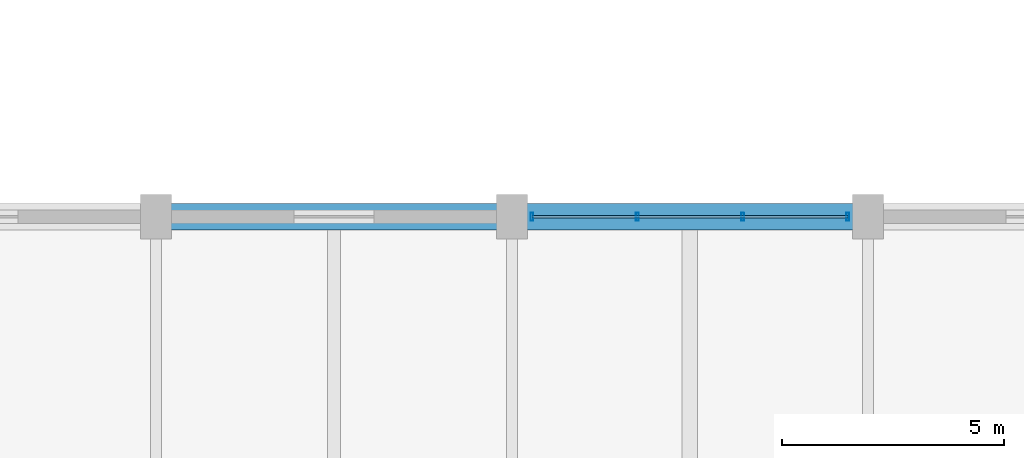
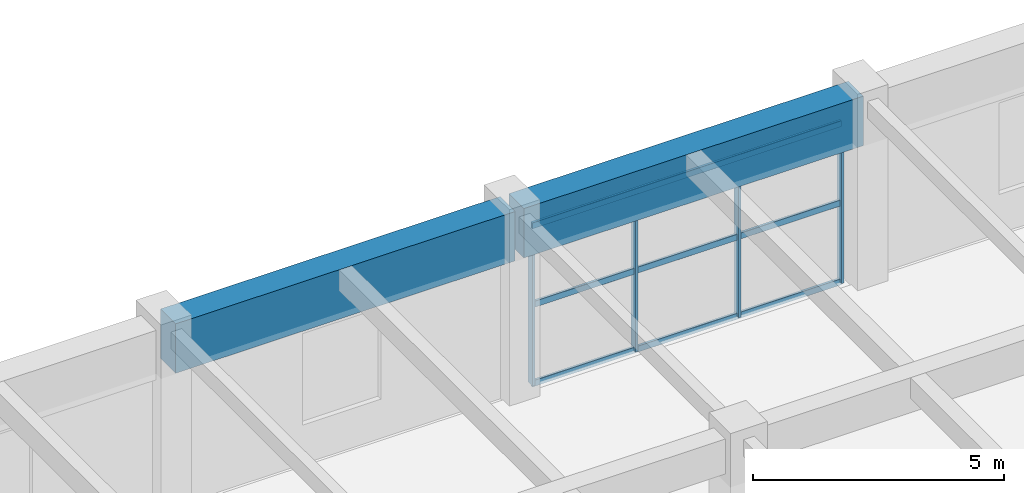
# One storey, part 84 of 144: 7 members, 2 beams, 1 element without a shape of its own.
"""IFC4 building model written with IfcOpenShell, lengths in metres."""

import ifcopenshell
import ifcopenshell.guid

model = None  # the IFC model being written
_history = None  # IfcOwnerHistory: only IFC2X3 demands one
_inside = {}  # id of a spatial element -> (the spatial element, [elements in it])
_under = {}  # id of a project, library or spatial element -> (it, [spatial elements below it])
_declared = {}  # id of a project -> (the project, [libraries it declares])
_typed = {}  # id of a type object -> (the type object, [elements of that type])
_made_of = {}  # id of a material, layer set ... -> (it, [elements and type objects made of it])


def new_model(schema):
    """Start an empty IFC model of exactly this schema.

    Asked for "IFC4X3", IfcOpenShell would pick the latest addendum, in which some entities
    have other attributes; the version numbers below select the first issue.
    IFC2X3 requires an IfcOwnerHistory on every rooted entity: one is made here for all.
    """
    global model, _history
    if schema == "IFC4X3":
        model = ifcopenshell.file(schema_version=(4, 3, 0, 0))
    else:
        model = ifcopenshell.file(schema=schema)
    _inside.clear()
    _under.clear()
    _declared.clear()
    _typed.clear()
    _made_of.clear()
    _history = None
    if model.schema == "IFC2X3":
        org = make("IfcOrganization", Name="unknown")
        user = make(
            "IfcPersonAndOrganization",
            ThePerson=make("IfcPerson", FamilyName="unknown"),
            TheOrganization=org,
        )
        app = make(
            "IfcApplication",
            ApplicationDeveloper=org,
            Version="unknown",
            ApplicationFullName="unknown",
            ApplicationIdentifier="unknown",
        )
        _history = make(
            "IfcOwnerHistory",
            OwningUser=user,
            OwningApplication=app,
            ChangeAction="ADDED",
            CreationDate=0,
        )
    return model


def make(cls, **values):
    """One entity of the class cls with the attributes given. An attribute that is None is left unset."""
    return model.create_entity(
        cls, **{name: value for name, value in values.items() if value is not None}
    )


def rooted(cls, **values):
    """An entity with a GlobalId (a new one), such as an element, a storey or a relation."""
    return make(cls, GlobalId=ifcopenshell.guid.new(), OwnerHistory=_history, **values)


def si_unit(unit_type, name, prefix=None):
    """IfcSIUnit, for example si_unit("LENGTHUNIT", "METRE", prefix="MILLI")."""
    return make("IfcSIUnit", UnitType=unit_type, Prefix=prefix, Name=name)


def assignment(units):
    """IfcUnitAssignment: the units of a project."""
    return None if units is None else make("IfcUnitAssignment", Units=units)


def point(xyz):
    """IfcCartesianPoint."""
    return None if xyz is None else make("IfcCartesianPoint", Coordinates=xyz)


def direction(xyz):
    """IfcDirection."""
    return None if xyz is None else make("IfcDirection", DirectionRatios=xyz)


def frame(location, z_axis=None, x_axis=None):
    """IfcAxis2Placement3D, a coordinate frame: its origin and axes. An axis left out is left unset."""
    return make(
        "IfcAxis2Placement3D",
        Location=point(location),
        Axis=direction(z_axis),
        RefDirection=direction(x_axis),
    )


def frame_2d(location, x_axis=None):
    """IfcAxis2Placement2D, a coordinate frame in the plane: its origin and x axis."""
    return make(
        "IfcAxis2Placement2D", Location=point(location), RefDirection=direction(x_axis)
    )


def origin():
    """The frame at (0, 0, 0) with its axes left unset."""
    return frame((0.0, 0.0, 0.0))


def origin_2d():
    """The frame at (0, 0) in the plane with its x axis left unset."""
    return frame_2d((0.0, 0.0))


def place(relative_to, where):
    """IfcLocalPlacement: puts the frame where relative to a parent placement (None: the world)."""
    return make(
        "IfcLocalPlacement", PlacementRelTo=relative_to, RelativePlacement=where
    )


def context(
    kind, dimensions, precision=None, world=None, true_north=None, identifier=None
):
    """IfcGeometricRepresentationContext, for example the 3D "Model" context."""
    return make(
        "IfcGeometricRepresentationContext",
        ContextIdentifier=identifier,
        ContextType=kind,
        CoordinateSpaceDimension=dimensions,
        Precision=precision,
        WorldCoordinateSystem=world,
        TrueNorth=true_north,
    )


def subcontext(parent, identifier, kind, view, scale=None):
    """IfcGeometricRepresentationSubContext, for example "Body" below "Model"."""
    return make(
        "IfcGeometricRepresentationSubContext",
        ContextIdentifier=identifier,
        ContextType=kind,
        ParentContext=parent,
        TargetScale=scale,
        TargetView=view,
    )


def project(units=None, contexts=None):
    """IfcProject with its units and contexts."""
    return rooted(
        "IfcProject",
        Name="project",
        RepresentationContexts=contexts,
        UnitsInContext=assignment(units),
    )


def spatial(cls, under=None, at=None, **own):
    """A site, building, storey or space (cls), placed at a placement, below another one or the project."""
    s = rooted(cls, ObjectPlacement=at, **own)
    if under is not None:
        _under.setdefault(under.id(), (under, []))[1].append(s)
    return s


def profile(cls, at=None, kind="AREA", **sizes):
    """A parametric profile (cls). Its sizes go by their IFC names, for example OverallWidth=200.0."""
    return make(cls, ProfileType=kind, Position=at, **sizes)


def rectangle(**sizes):
    """IfcRectangleProfileDef."""
    return profile("IfcRectangleProfileDef", **sizes)


def hollow_rectangle(**sizes):
    """IfcRectangleHollowProfileDef."""
    return profile("IfcRectangleHollowProfileDef", **sizes)


def extrude(swept, where, along, depth):
    """IfcExtrudedAreaSolid: the profile swept, set in the frame where, extruded along a direction by depth."""
    return make(
        "IfcExtrudedAreaSolid",
        SweptArea=swept,
        Position=where,
        ExtrudedDirection=direction(along),
        Depth=depth,
    )


def shape(context_of_items, identifier, shape_type, items):
    """IfcShapeRepresentation: the items that make up one representation, for example the "Body"."""
    return make(
        "IfcShapeRepresentation",
        ContextOfItems=context_of_items,
        RepresentationIdentifier=identifier,
        RepresentationType=shape_type,
        Items=items,
    )


def material(Name=None, Category=None):
    """IfcMaterial."""
    return make("IfcMaterial", Name=Name, Category=Category)


def material_profile(
    of_material, cross_section, Name=None, Category=None, Priority=None
):
    """IfcMaterialProfile: a cross section and its material."""
    return make(
        "IfcMaterialProfile",
        Name=Name,
        Material=of_material,
        Profile=cross_section,
        Priority=Priority,
        Category=Category,
    )


def profile_set(profiles, Name=None, composite=None):
    """IfcMaterialProfileSet."""
    return make(
        "IfcMaterialProfileSet",
        Name=Name,
        MaterialProfiles=profiles,
        CompositeProfile=composite,
    )


def made_of(thing, what):
    """Note that an element or type object is made of a material, layer set ...; save() writes the relation."""
    if what is not None:
        _made_of.setdefault(what.id(), (what, []))[1].append(thing)
    return thing


def type_object(cls, material=None, **own):
    """A type object (cls), such as IfcWallType, which elements share."""
    return made_of(rooted(cls, **own), material)


def element(
    cls,
    number,
    at=None,
    inside=None,
    cuts=None,
    type_object=None,
    material=None,
    context=None,
    identifier="Body",
    shape_type=None,
    held_by="IfcProductDefinitionShape",
    body=None,
    shapes=None,
    **own,
):
    """One element of the class cls, such as IfcWall. Its Tag is "e" and its number.

    at: its placement. inside: the storey or other place that contains it. cuts: it is an
    opening in that element (IfcRelVoidsElement). A single representation is given by context,
    identifier, shape_type and body (its items); several are given by shapes. held_by: the class
    of the entity that holds the representations. save() writes the other relations.
    """
    e = rooted(cls, Tag="e%d" % number, ObjectPlacement=at, **own)
    if body is not None:
        shapes = [shape(context, identifier, shape_type, body)]
    if shapes is not None:
        e.Representation = make(held_by, Representations=shapes)
    if inside is not None:
        _inside.setdefault(inside.id(), (inside, []))[1].append(e)
    if cuts is not None:
        rooted(
            "IfcRelVoidsElement", RelatingBuildingElement=cuts, RelatedOpeningElement=e
        )
    if type_object is not None:
        _typed.setdefault(type_object.id(), (type_object, []))[1].append(e)
    return made_of(e, material)


def aggregate(whole, parts):
    """IfcRelAggregates: a whole, such as a stair, and the parts it consists of."""
    return rooted("IfcRelAggregates", RelatingObject=whole, RelatedObjects=parts)


def save(model, path):
    """Write the relations noted so far, then the file.

    IfcRelAggregates (storeys below a building ...), IfcRelContainedInSpatialStructure (elements
    in a storey), IfcRelDefinesByType, IfcRelAssociatesMaterial and IfcRelDeclares: one each for
    every whole, place, type object, material and project.
    """
    for whole, parts in _under.values():
        aggregate(whole, parts)
    for where, things in _inside.values():
        rooted(
            "IfcRelContainedInSpatialStructure",
            RelatedElements=things,
            RelatingStructure=where,
        )
    for kind, things in _typed.values():
        rooted("IfcRelDefinesByType", RelatedObjects=things, RelatingType=kind)
    for what, things in _made_of.values():
        rooted("IfcRelAssociatesMaterial", RelatedObjects=things, RelatingMaterial=what)
    for by, libraries in _declared.values():
        rooted("IfcRelDeclares", RelatingContext=by, RelatedDefinitions=libraries)
    model.write(path)


model = new_model("IFC4")

# Units and contexts
model_context = context("Model", 3, precision=1e-05, world=origin(), true_north=direction((0.0, 1.0)))
body_context = subcontext(model_context, "Body", "Model", "MODEL_VIEW")
ifc_project = project(units=[si_unit("LENGTHUNIT", "METRE"), si_unit("AREAUNIT", "SQUARE_METRE"), si_unit("VOLUMEUNIT", "CUBIC_METRE"), si_unit("PLANEANGLEUNIT", "RADIAN"), si_unit("MASSUNIT", "GRAM", prefix="KILO")], contexts=[model_context])

# Site, building, storey
site_placement = place(None, origin())
site = spatial("IfcSite", under=ifc_project, at=site_placement, CompositionType="ELEMENT")
building_placement = place(site_placement, origin())
building = spatial("IfcBuilding", under=site, at=building_placement, Name="Varnabhumi Central Station", CompositionType="ELEMENT")
storey_placement = place(building_placement, frame((0.0, 0.0, 4.800048828125)))
storey = spatial("IfcBuildingStorey", under=building, at=storey_placement, Name="L01", CompositionType="ELEMENT", Elevation=4.800048828125)

# Beams
ifc_material_1 = material(Name="Concrete M50", Category="concrete")
ifc_material_profile_1 = material_profile(ifc_material_1, rectangle(XDim=0.60009765625, YDim=1.199951171875, at=origin_2d()), Name="Concrete M50", Category="concrete")
ifc_profile_set_1 = profile_set([ifc_material_profile_1], Name="Concrete M50")
beam_type = type_object("IfcBeamType", Name="BM-RC-1200x600", PredefinedType="BEAM", material=ifc_profile_set_1)
for number, where, z_axis, x_axis, name in (
    (1, (160.10009765625, 36.0, 3.949951171875), (1.0, 0.0, 0.0), (0.0, 1.0, 0.0), "Beam L01-E:21-22"),
    (2, (168.10009765625, 36.0, 3.949951171875), (1.0, 0.0, 0.0), (0.0, 1.0, 0.0), "Beam L01-E:22-23"),
):
    element("IfcBeam", number, at=place(storey_placement, frame(where, z_axis=z_axis, x_axis=x_axis)), inside=storey, type_object=beam_type, Name=name, PredefinedType="BEAM", context=body_context, shape_type="SweptSolid", body=[
        extrude(rectangle(XDim=0.60009765625, YDim=1.199951171875, at=origin_2d()), origin(), (0.0, 0.0, 1.0), 7.7998046875),
    ])

# Curtain wall, members
ifc_material_2 = material(Name="Anodised aluminium 6063-T6", Category="aluminium")
curtain_wall_type = type_object("IfcCurtainWallType", Name="CW-SPINE-SCREEN-L0", PredefinedType="NOTDEFINED", material=ifc_material_2)
curtain_wall_placement = place(storey_placement, origin())
curtain_wall = element("IfcCurtainWall", 3, at=curtain_wall_placement, inside=storey, type_object=curtain_wall_type, Name="Curtain Wall CW-SS121", PredefinedType="NOTDEFINED")
ifc_material_profile_2 = material_profile(ifc_material_2, hollow_rectangle(XDim=0.06494140625, YDim=0.179931640625, WallThickness=0.00390625, InnerFilletRadius=0.001953125, OuterFilletRadius=0.006103515625, at=origin_2d()), Name="Anodised aluminium 6063-T6", Category="aluminium")
ifc_profile_set_2 = profile_set([ifc_material_profile_2], Name="Anodised aluminium 6063-T6")
member_type_1 = type_object("IfcMemberType", Name="CW-MUL-180", PredefinedType="MULLION", material=ifc_profile_set_2)
member_1_placement = place(storey_placement, frame((168.449951171875, 36.0, 0.0), z_axis=(0.0, 0.0, 1.0), x_axis=(1.0, 0.0, 0.0)))
member_1 = element("IfcMember", 4, at=member_1_placement, type_object=member_type_1, Name="Curtain Wall Mullion CW-SS121-M1", PredefinedType="MULLION", context=body_context, shape_type="SweptSolid", body=[
    extrude(hollow_rectangle(XDim=0.06494140625, YDim=0.179931640625, WallThickness=0.00390625, InnerFilletRadius=0.001953125, OuterFilletRadius=0.006103515625, at=origin_2d()), origin(), (0.0, 0.0, 1.0), 3.83984375),
])
member_2_placement = place(storey_placement, frame((170.816650390625, 36.0, 0.0), z_axis=(0.0, 0.0, 1.0), x_axis=(1.0, 0.0, 0.0)))
member_2 = element("IfcMember", 5, at=member_2_placement, type_object=member_type_1, Name="Curtain Wall Mullion CW-SS121-M2", PredefinedType="MULLION", context=body_context, shape_type="SweptSolid", body=[
    extrude(hollow_rectangle(XDim=0.06494140625, YDim=0.179931640625, WallThickness=0.00390625, InnerFilletRadius=0.001953125, OuterFilletRadius=0.006103515625, at=origin_2d()), origin(), (0.0, 0.0, 1.0), 3.83984375),
])
member_3_placement = place(storey_placement, frame((173.183349609375, 36.0, 0.0), z_axis=(0.0, 0.0, 1.0), x_axis=(1.0, 0.0, 0.0)))
member_3 = element("IfcMember", 6, at=member_3_placement, type_object=member_type_1, Name="Curtain Wall Mullion CW-SS121-M3", PredefinedType="MULLION", context=body_context, shape_type="SweptSolid", body=[
    extrude(hollow_rectangle(XDim=0.06494140625, YDim=0.179931640625, WallThickness=0.00390625, InnerFilletRadius=0.001953125, OuterFilletRadius=0.006103515625, at=origin_2d()), origin(), (0.0, 0.0, 1.0), 3.83984375),
])
member_4_placement = place(storey_placement, frame((175.550048828125, 36.0, 0.0), z_axis=(0.0, 0.0, 1.0), x_axis=(1.0, 0.0, 0.0)))
member_4 = element("IfcMember", 7, at=member_4_placement, type_object=member_type_1, Name="Curtain Wall Mullion CW-SS121-M4", PredefinedType="MULLION", context=body_context, shape_type="SweptSolid", body=[
    extrude(hollow_rectangle(XDim=0.06494140625, YDim=0.179931640625, WallThickness=0.00390625, InnerFilletRadius=0.001953125, OuterFilletRadius=0.006103515625, at=origin_2d()), origin(), (0.0, 0.0, 1.0), 3.83984375),
])
ifc_material_profile_3 = material_profile(ifc_material_2, hollow_rectangle(XDim=0.06005859375, YDim=0.14990234375, WallThickness=0.00390625, InnerFilletRadius=0.001953125, OuterFilletRadius=0.006103515625, at=origin_2d()), Name="Anodised aluminium 6063-T6", Category="aluminium")
ifc_profile_set_3 = profile_set([ifc_material_profile_3], Name="Anodised aluminium 6063-T6")
member_type_2 = type_object("IfcMemberType", Name="CW-TR-150", PredefinedType="USERDEFINED", material=ifc_profile_set_3)
member_5_placement = place(storey_placement, frame((168.449951171875, 36.0, 0.0), z_axis=(1.0, 0.0, 0.0), x_axis=(0.0, 1.0, 0.0)))
member_5 = element("IfcMember", 8, at=member_5_placement, type_object=member_type_2, Name="Curtain Wall Transom CW-SS121-T1", ObjectType="TRANSOM", PredefinedType="USERDEFINED", context=body_context, shape_type="SweptSolid", body=[
    extrude(hollow_rectangle(XDim=0.06005859375, YDim=0.14990234375, WallThickness=0.00390625, InnerFilletRadius=0.001953125, OuterFilletRadius=0.006103515625, at=origin_2d()), origin(), (0.0, 0.0, 1.0), 7.10009765625),
])
member_6_placement = place(storey_placement, frame((168.449951171875, 36.0, 1.919921875), z_axis=(1.0, 0.0, 0.0), x_axis=(0.0, 1.0, 0.0)))
member_6 = element("IfcMember", 9, at=member_6_placement, type_object=member_type_2, Name="Curtain Wall Transom CW-SS121-T2", ObjectType="TRANSOM", PredefinedType="USERDEFINED", context=body_context, shape_type="SweptSolid", body=[
    extrude(hollow_rectangle(XDim=0.06005859375, YDim=0.14990234375, WallThickness=0.00390625, InnerFilletRadius=0.001953125, OuterFilletRadius=0.006103515625, at=origin_2d()), origin(), (0.0, 0.0, 1.0), 7.10009765625),
])
member_7_placement = place(storey_placement, frame((168.449951171875, 36.0, 3.83984375), z_axis=(1.0, 0.0, 0.0), x_axis=(0.0, 1.0, 0.0)))
member_7 = element("IfcMember", 10, at=member_7_placement, type_object=member_type_2, Name="Curtain Wall Transom CW-SS121-T3", ObjectType="TRANSOM", PredefinedType="USERDEFINED", context=body_context, shape_type="SweptSolid", body=[
    extrude(hollow_rectangle(XDim=0.06005859375, YDim=0.14990234375, WallThickness=0.00390625, InnerFilletRadius=0.001953125, OuterFilletRadius=0.006103515625, at=origin_2d()), origin(), (0.0, 0.0, 1.0), 7.10009765625),
])
aggregate(curtain_wall, [member_1, member_2, member_3, member_4, member_5, member_6, member_7])

save(model, "model.ifc")
